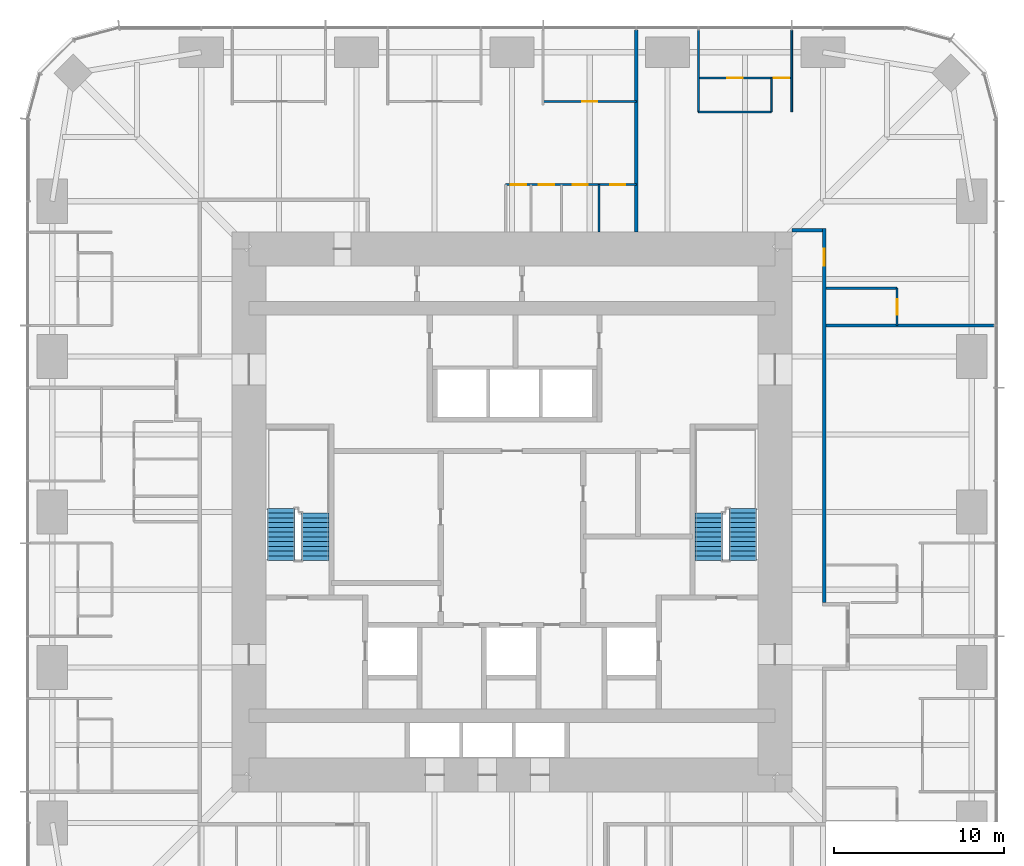
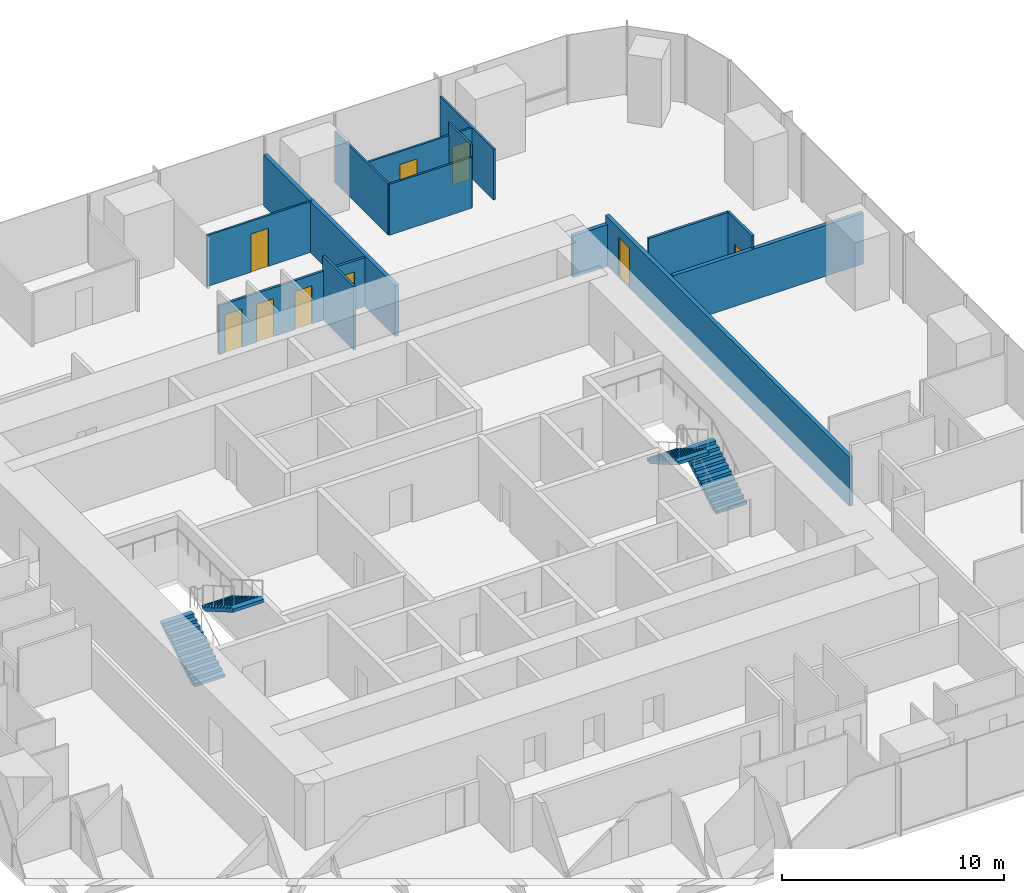
# One storey, part 12 of 13: 14 walls, 9 doors, 4 stair flights, 9 openings, 2 elements without a shape of their own.
"""IFC4 building model written with IfcOpenShell, lengths in metres."""

from ifc_helpers import new_model, si_unit, direction, frame, frame_2d, origin, place, context, subcontext, project, spatial, polyline, rectangle, outline, extrude, material, layer, layer_set, type_object, element, fill, aggregate, save


model = new_model("IFC4")

# Units and contexts
model_context = context("Model", 3, precision=1e-05, world=origin(), true_north=direction((0.0, 1.0)))
body_context = subcontext(model_context, "Body", "Model", "MODEL_VIEW")
ifc_project = project(units=[si_unit("LENGTHUNIT", "METRE"), si_unit("AREAUNIT", "SQUARE_METRE"), si_unit("VOLUMEUNIT", "CUBIC_METRE"), si_unit("PLANEANGLEUNIT", "RADIAN"), si_unit("MASSUNIT", "GRAM", prefix="KILO")], contexts=[model_context])

# Site, building, storey
site_placement = place(None, origin())
site = spatial("IfcSite", under=ifc_project, at=site_placement, CompositionType="ELEMENT")
building_placement = place(site_placement, origin())
building = spatial("IfcBuilding", under=site, at=building_placement, Name="Khuree Lantern Residences", CompositionType="ELEMENT")
storey_placement = place(building_placement, frame((0.0, 0.0, 152.25)))
storey = spatial("IfcBuildingStorey", under=building, at=storey_placement, Name="L38", CompositionType="ELEMENT", Elevation=152.25)

# Wall, opening, door
ifc_material_1 = material(Name="Moisture-resistant gypsum board on steel studs", Category="steel")
ifc_layer_1 = layer(ifc_material_1, 0.125)
ifc_layer_set_1 = layer_set([ifc_layer_1], Name="BATHROOM WALL BTW125")
wall_type_1 = type_object("IfcWallType", Name="BATHROOM WALL BTW125", PredefinedType="PARTITIONING", material=ifc_layer_set_1)
wall_1_placement = place(storey_placement, frame((22.699951171875, 10.991943359375, 0.0), z_axis=(0.0, 0.0, 1.0), x_axis=(0.0, 1.0, 0.0)))
wall_1 = element("IfcWall", 1, at=wall_1_placement, inside=storey, type_object=wall_type_1, Name="L38 BATHROOM WALL 02", PredefinedType="PARTITIONING", context=body_context, shape_type="SweptSolid", body=[
    extrude(rectangle(XDim=2.199951171875, YDim=0.125, at=frame_2d((1.10009765625, 0.0))), origin(), (0.0, 0.0, 1.0), 3.5),
])
opening_1_placement = place(wall_1_placement, frame((0.64990234375, 0.0, 0.0)))
opening_1 = element("IfcOpeningElement", 2, at=opening_1_placement, cuts=wall_1, Name="Opening 38-031", PredefinedType="OPENING", context=body_context, shape_type="SweptSolid", body=[
    extrude(rectangle(XDim=0.89990234375, YDim=2.10009765625, at=frame_2d((0.449951171875, 1.050048828125))), frame((0.0, 0.072509765625, 0.0), z_axis=(0.0, -1.0, 0.0), x_axis=(1.0, 0.0, 0.0)), (0.0, 0.0, 1.0), 0.14501953125),
])
ifc_material_2 = material(Name="Timber door leaf in hardwood frame", Category="wood")
door_type_1 = type_object("IfcDoorType", Name="BATHROOM DOOR 900X2100", OperationType="SINGLE_SWING_LEFT", PredefinedType="DOOR", material=ifc_material_2)
door_1_placement = place(opening_1_placement, origin())
door_1 = element("IfcDoor", 3, at=door_1_placement, inside=storey, type_object=door_type_1, Name="Bathroom door 38-031", OperationType="SINGLE_SWING_LEFT", OverallHeight=2.10009765625, OverallWidth=0.89990234375, PredefinedType="DOOR", context=body_context, shape_type="SweptSolid", body=[
    extrude(rectangle(XDim=0.89990234375, YDim=2.10009765625, at=frame_2d((0.449951171875, 1.050048828125))), frame((0.0, 0.02490234375, 0.0), z_axis=(0.0, -1.0, 0.0), x_axis=(1.0, 0.0, 0.0)), (0.0, 0.0, 1.0), 0.050048828125),
])
fill(opening_1, door_1)

# Wall
wall_2_placement = place(storey_placement, frame((18.5, 13.19189453125, 0.0), z_axis=(0.0, 0.0, 1.0), x_axis=(1.0, 0.0, 0.0)))
element("IfcWall", 4, at=wall_2_placement, inside=storey, type_object=wall_type_1, Name="L38 BATHROOM WALL 02", PredefinedType="PARTITIONING", context=body_context, shape_type="SweptSolid", body=[
    extrude(rectangle(XDim=4.199951171875, YDim=0.125, at=frame_2d((2.10009765625, 0.0))), origin(), (0.0, 0.0, 1.0), 3.5),
])

# Wall, openings, doors
wall_3_placement = place(storey_placement, frame((7.327880859375, 19.300048828125, 0.0), z_axis=(0.0, 0.0, 1.0), x_axis=(-1.0, 0.0, 0.0)))
wall_3 = element("IfcWall", 5, at=wall_3_placement, inside=storey, type_object=wall_type_1, Name="L38 BATHROOM WALL 03", PredefinedType="PARTITIONING", context=body_context, shape_type="SweptSolid", body=[
    extrude(rectangle(XDim=7.699951171875, YDim=0.125, at=frame_2d((3.85009765625, 0.0))), origin(), (0.0, 0.0, 1.0), 2.699951171875),
])
opening_2_placement = place(wall_3_placement, frame((0.64990234375, 0.0, 0.0)))
opening_2 = element("IfcOpeningElement", 6, at=opening_2_placement, cuts=wall_3, Name="Opening 38-038", PredefinedType="OPENING", context=body_context, shape_type="SweptSolid", body=[
    extrude(rectangle(XDim=0.89990234375, YDim=2.10009765625, at=frame_2d((0.449951171875, 1.050048828125))), frame((0.0, 0.072509765625, 0.0), z_axis=(0.0, -1.0, 0.0), x_axis=(1.0, 0.0, 0.0)), (0.0, 0.0, 1.0), 0.14501953125),
])
opening_3_placement = place(wall_3_placement, frame((2.85009765625, 0.0, 0.0)))
opening_3 = element("IfcOpeningElement", 7, at=opening_3_placement, cuts=wall_3, Name="Opening 38-039", PredefinedType="OPENING", context=body_context, shape_type="SweptSolid", body=[
    extrude(rectangle(XDim=0.89990234375, YDim=2.10009765625, at=frame_2d((0.449951171875, 1.050048828125))), frame((0.0, 0.072509765625, 0.0), z_axis=(0.0, -1.0, 0.0), x_axis=(1.0, 0.0, 0.0)), (0.0, 0.0, 1.0), 0.14501953125),
])
opening_4_placement = place(wall_3_placement, frame((4.85009765625, 0.0, 0.0)))
opening_4 = element("IfcOpeningElement", 8, at=opening_4_placement, cuts=wall_3, Name="Opening 38-040", PredefinedType="OPENING", context=body_context, shape_type="SweptSolid", body=[
    extrude(rectangle(XDim=0.89990234375, YDim=2.10009765625, at=frame_2d((0.449951171875, 1.050048828125))), frame((0.0, 0.072509765625, 0.0), z_axis=(0.0, -1.0, 0.0), x_axis=(1.0, 0.0, 0.0)), (0.0, 0.0, 1.0), 0.14501953125),
])
opening_5_placement = place(wall_3_placement, frame((6.5, 0.0, 0.0)))
opening_5 = element("IfcOpeningElement", 9, at=opening_5_placement, cuts=wall_3, Name="Opening 38-041", PredefinedType="OPENING", context=body_context, shape_type="SweptSolid", body=[
    extrude(rectangle(XDim=0.89990234375, YDim=2.10009765625, at=frame_2d((0.449951171875, 1.050048828125))), frame((0.0, 0.072509765625, 0.0), z_axis=(0.0, -1.0, 0.0), x_axis=(1.0, 0.0, 0.0)), (0.0, 0.0, 1.0), 0.14501953125),
])
door_2_placement = place(opening_2_placement, origin())
door_2 = element("IfcDoor", 10, at=door_2_placement, inside=storey, type_object=door_type_1, Name="Bathroom door 38-038", OperationType="SINGLE_SWING_LEFT", OverallHeight=2.10009765625, OverallWidth=0.89990234375, PredefinedType="DOOR", context=body_context, shape_type="SweptSolid", body=[
    extrude(rectangle(XDim=0.89990234375, YDim=2.10009765625, at=frame_2d((0.449951171875, 1.050048828125))), frame((0.0, 0.02490234375, 0.0), z_axis=(0.0, -1.0, 0.0), x_axis=(1.0, 0.0, 0.0)), (0.0, 0.0, 1.0), 0.050048828125),
])
fill(opening_2, door_2)
door_3_placement = place(opening_3_placement, origin())
door_3 = element("IfcDoor", 11, at=door_3_placement, inside=storey, type_object=door_type_1, Name="Bathroom door 38-039", OperationType="SINGLE_SWING_LEFT", OverallHeight=2.10009765625, OverallWidth=0.89990234375, PredefinedType="DOOR", context=body_context, shape_type="SweptSolid", body=[
    extrude(rectangle(XDim=0.89990234375, YDim=2.10009765625, at=frame_2d((0.449951171875, 1.050048828125))), frame((0.0, 0.02490234375, 0.0), z_axis=(0.0, -1.0, 0.0), x_axis=(1.0, 0.0, 0.0)), (0.0, 0.0, 1.0), 0.050048828125),
])
fill(opening_3, door_3)
door_type_2 = type_object("IfcDoorType", Name="DOOR 900X2100", OperationType="SINGLE_SWING_LEFT", PredefinedType="DOOR", material=ifc_material_2)
door_4_placement = place(opening_4_placement, origin())
door_4 = element("IfcDoor", 12, at=door_4_placement, inside=storey, type_object=door_type_2, Name="Store door 38-040", OperationType="SINGLE_SWING_LEFT", OverallHeight=2.10009765625, OverallWidth=0.89990234375, PredefinedType="DOOR", context=body_context, shape_type="SweptSolid", body=[
    extrude(rectangle(XDim=0.89990234375, YDim=2.10009765625, at=frame_2d((0.449951171875, 1.050048828125))), frame((0.0, 0.02490234375, 0.0), z_axis=(0.0, -1.0, 0.0), x_axis=(1.0, 0.0, 0.0)), (0.0, 0.0, 1.0), 0.050048828125),
])
fill(opening_4, door_4)
door_type_3 = type_object("IfcDoorType", Name="WC DOOR 900X2100", OperationType="SINGLE_SWING_LEFT", PredefinedType="DOOR", material=ifc_material_2)
door_5_placement = place(opening_5_placement, origin())
door_5 = element("IfcDoor", 13, at=door_5_placement, inside=storey, type_object=door_type_3, Name="WC door 38-041", OperationType="SINGLE_SWING_LEFT", OverallHeight=2.10009765625, OverallWidth=0.89990234375, PredefinedType="DOOR", context=body_context, shape_type="SweptSolid", body=[
    extrude(rectangle(XDim=0.89990234375, YDim=2.10009765625, at=frame_2d((0.449951171875, 1.050048828125))), frame((0.0, 0.02490234375, 0.0), z_axis=(0.0, -1.0, 0.0), x_axis=(1.0, 0.0, 0.0)), (0.0, 0.0, 1.0), 0.050048828125),
])
fill(opening_5, door_5)

# Walls
wall_4_placement = place(storey_placement, frame((5.1279296875, 16.5, 0.0), z_axis=(0.0, 0.0, 1.0), x_axis=(0.0, 1.0, 0.0)))
element("IfcWall", 14, at=wall_4_placement, inside=storey, type_object=wall_type_1, Name="L38 BATHROOM WALL 03", PredefinedType="PARTITIONING", context=body_context, shape_type="SweptSolid", body=[
    extrude(rectangle(XDim=2.800048828125, YDim=0.125, at=frame_2d((1.39990234375, 0.0))), origin(), (0.0, 0.0, 1.0), 3.5),
])
ifc_material_3 = material(Name="Gypsum board on steel studs", Category="steel")
ifc_layer_2 = layer(ifc_material_3, 0.199951171875)
ifc_layer_set_2 = layer_set([ifc_layer_2], Name="CORRIDOR WALL CRW200 EI 60")
wall_type_2 = type_object("IfcWallType", Name="CORRIDOR WALL CRW200 EI 60", PredefinedType="PARTITIONING", material=ifc_layer_set_2)
wall_5_placement = place(storey_placement, frame((16.5, 16.60009765625, 0.0), z_axis=(0.0, 0.0, 1.0), x_axis=(1.0, 0.0, 0.0)))
element("IfcWall", 15, at=wall_5_placement, inside=storey, type_object=wall_type_2, Name="L38 EAST CORRIDOR NORTH END WALL", PredefinedType="PARTITIONING", context=body_context, shape_type="SweptSolid", body=[
    extrude(rectangle(XDim=1.800048828125, YDim=0.199951171875, at=frame_2d((0.89990234375, 0.0))), origin(), (0.0, 0.0, 1.0), 2.300048828125),
])

# Wall, opening, door
wall_6_placement = place(storey_placement, frame((18.39990234375, -5.327880859375, 0.0), z_axis=(0.0, 0.0, 1.0), x_axis=(0.0, 1.0, 0.0)))
wall_6 = element("IfcWall", 16, at=wall_6_placement, inside=storey, type_object=wall_type_2, Name="L38 CORRIDOR WALL EAST 2", PredefinedType="PARTITIONING", context=body_context, shape_type="SweptSolid", body=[
    extrude(rectangle(XDim=22.02783203125, YDim=0.199951171875, at=frame_2d((11.013916015625, 0.0))), origin(), (0.0, 0.0, 1.0), 2.699951171875),
])
opening_6_placement = place(wall_6_placement, frame((19.840087890625, 0.0, 0.0)))
opening_6 = element("IfcOpeningElement", 17, at=opening_6_placement, cuts=wall_6, Name="Opening 38-032", PredefinedType="OPENING", context=body_context, shape_type="SweptSolid", body=[
    extrude(rectangle(XDim=1.0, YDim=2.199951171875, at=frame_2d((0.5, 1.10009765625))), frame((0.0, 0.10986328125, 0.0), z_axis=(0.0, -1.0, 0.0), x_axis=(1.0, 0.0, 0.0)), (0.0, 0.0, 1.0), 0.219970703125),
])
door_type_4 = type_object("IfcDoorType", Name="APARTMENT ENTRANCE DOOR 1000X2200 EI 30S RIGHT HAND", OperationType="SINGLE_SWING_RIGHT", PredefinedType="DOOR", material=ifc_material_2)
door_6_placement = place(opening_6_placement, origin())
door_6 = element("IfcDoor", 18, at=door_6_placement, inside=storey, type_object=door_type_4, Name="Apartment 02 entrance door 38-032", OperationType="SINGLE_SWING_RIGHT", OverallHeight=2.199951171875, OverallWidth=1.0, PredefinedType="DOOR", context=body_context, shape_type="SweptSolid", body=[
    extrude(rectangle(XDim=1.0, YDim=2.199951171875, at=frame_2d((0.5, 1.10009765625))), frame((0.0, 0.02490234375, 0.0), z_axis=(0.0, -1.0, 0.0), x_axis=(1.0, 0.0, 0.0)), (0.0, 0.0, 1.0), 0.050048828125),
])
fill(opening_6, door_6)

# Walls
ifc_layer_3 = layer(ifc_material_3, 0.199951171875)
ifc_layer_set_3 = layer_set([ifc_layer_3], Name="DEMISING WALL DMW200 EI 90")
wall_type_3 = type_object("IfcWallType", Name="DEMISING WALL DMW200 EI 90", PredefinedType="PARTITIONING", material=ifc_layer_set_3)
wall_7_placement = place(storey_placement, frame((18.5, 10.991943359375, 0.0), z_axis=(0.0, 0.0, 1.0), x_axis=(1.0, 0.0, 0.0)))
element("IfcWall", 19, at=wall_7_placement, inside=storey, type_object=wall_type_3, Name="L38 DEMISING WALL 02", PredefinedType="PARTITIONING", context=body_context, shape_type="SweptSolid", body=[
    extrude(rectangle(XDim=9.89990234375, YDim=0.199951171875, at=frame_2d((4.949951171875, 0.0))), origin(), (0.0, 0.0, 1.0), 2.81005859375),
])
wall_8_placement = place(storey_placement, frame((7.327880859375, 16.5, 0.0), z_axis=(0.0, 0.0, 1.0), x_axis=(0.0, 1.0, 0.0)))
element("IfcWall", 20, at=wall_8_placement, inside=storey, type_object=wall_type_3, Name="L38 DEMISING WALL 03", PredefinedType="PARTITIONING", context=body_context, shape_type="SweptSolid", body=[
    extrude(rectangle(XDim=11.89990234375, YDim=0.199951171875, at=frame_2d((5.949951171875, 0.0))), origin(), (0.0, 0.0, 1.0), 2.81005859375),
])
ifc_layer_4 = layer(ifc_material_3, 0.10009765625)
ifc_layer_set_4 = layer_set([ifc_layer_4], Name="PARTITION PT100")
wall_type_4 = type_object("IfcWallType", Name="PARTITION PT100", PredefinedType="PARTITIONING", material=ifc_layer_set_4)
for number, where, z_axis, x_axis, name in (
    (21, (16.488037109375, 23.579833984375, 0.0), (0.0, 0.0, 1.0), (0.0, 1.0, 0.0), "L38 PARTITION 02"),
    (22, (10.991943359375, 23.579833984375, 0.0), (0.0, 0.0, 1.0), (0.0, 1.0, 0.0), "L38 PARTITION 02"),
):
    element("IfcWall", number, at=place(storey_placement, frame(where, z_axis=z_axis, x_axis=x_axis)), inside=storey, type_object=wall_type_4, Name=name, PredefinedType="PARTITIONING", context=body_context, shape_type="SweptSolid", body=[
        extrude(rectangle(XDim=4.820068359375, YDim=0.10009765625, at=frame_2d((2.41015625, 0.0))), origin(), (0.0, 0.0, 1.0), 2.81005859375),
    ])

# Wall, openings, doors
wall_9_placement = place(storey_placement, frame((16.488037109375, 25.579833984375, 0.0), z_axis=(0.0, 0.0, 1.0), x_axis=(-1.0, 0.0, 0.0)))
wall_9 = element("IfcWall", 23, at=wall_9_placement, inside=storey, type_object=wall_type_4, Name="L38 PARTITION 02", PredefinedType="PARTITIONING", context=body_context, shape_type="SweptSolid", body=[
    extrude(rectangle(XDim=5.49609375, YDim=0.10009765625, at=frame_2d((2.748046875, 0.0))), origin(), (0.0, 0.0, 1.0), 2.81005859375),
])
opening_7_placement = place(wall_9_placement, frame((0.14990234375, 0.0, 0.0)))
opening_7 = element("IfcOpeningElement", 24, at=opening_7_placement, cuts=wall_9, Name="Opening 38-029", PredefinedType="OPENING", context=body_context, shape_type="SweptSolid", body=[
    extrude(rectangle(XDim=0.89990234375, YDim=2.10009765625, at=frame_2d((0.449951171875, 1.050048828125))), frame((0.0, 0.06005859375, 0.0), z_axis=(0.0, -1.0, 0.0), x_axis=(1.0, 0.0, 0.0)), (0.0, 0.0, 1.0), 0.1201171875),
])
opening_8_placement = place(wall_9_placement, frame((2.89794921875, 0.0, 0.0)))
opening_8 = element("IfcOpeningElement", 25, at=opening_8_placement, cuts=wall_9, Name="Opening 38-030", PredefinedType="OPENING", context=body_context, shape_type="SweptSolid", body=[
    extrude(rectangle(XDim=0.89990234375, YDim=2.10009765625, at=frame_2d((0.449951171875, 1.050048828125))), frame((0.0, 0.06005859375, 0.0), z_axis=(0.0, -1.0, 0.0), x_axis=(1.0, 0.0, 0.0)), (0.0, 0.0, 1.0), 0.1201171875),
])
door_type_5 = type_object("IfcDoorType", Name="BEDROOM DOOR 900X2100", OperationType="SINGLE_SWING_LEFT", PredefinedType="DOOR", material=ifc_material_2)
door_7_placement = place(opening_7_placement, origin())
door_7 = element("IfcDoor", 26, at=door_7_placement, inside=storey, type_object=door_type_5, Name="Bedroom door 38-029", OperationType="SINGLE_SWING_LEFT", OverallHeight=2.10009765625, OverallWidth=0.89990234375, PredefinedType="DOOR", context=body_context, shape_type="SweptSolid", body=[
    extrude(rectangle(XDim=0.89990234375, YDim=2.10009765625, at=frame_2d((0.449951171875, 1.050048828125))), frame((0.0, 0.02490234375, 0.0), z_axis=(0.0, -1.0, 0.0), x_axis=(1.0, 0.0, 0.0)), (0.0, 0.0, 1.0), 0.050048828125),
])
fill(opening_7, door_7)
door_8_placement = place(opening_8_placement, origin())
door_8 = element("IfcDoor", 27, at=door_8_placement, inside=storey, type_object=door_type_2, Name="Wardrobe door 38-030", OperationType="SINGLE_SWING_LEFT", OverallHeight=2.10009765625, OverallWidth=0.89990234375, PredefinedType="DOOR", context=body_context, shape_type="SweptSolid", body=[
    extrude(rectangle(XDim=0.89990234375, YDim=2.10009765625, at=frame_2d((0.449951171875, 1.050048828125))), frame((0.0, 0.02490234375, 0.0), z_axis=(0.0, -1.0, 0.0), x_axis=(1.0, 0.0, 0.0)), (0.0, 0.0, 1.0), 0.050048828125),
])
fill(opening_8, door_8)

# Walls
wall_10_placement = place(storey_placement, frame((15.2880859375, 23.579833984375, 0.0), z_axis=(0.0, 0.0, 1.0), x_axis=(0.0, 1.0, 0.0)))
element("IfcWall", 28, at=wall_10_placement, inside=storey, type_object=wall_type_4, Name="L38 PARTITION 02", PredefinedType="PARTITIONING", context=body_context, shape_type="SweptSolid", body=[
    extrude(rectangle(XDim=2.0, YDim=0.10009765625, at=frame_2d((1.0, 0.0))), origin(), (0.0, 0.0, 1.0), 3.5),
])
wall_11_placement = place(storey_placement, frame((15.2880859375, 23.579833984375, 0.0), z_axis=(0.0, 0.0, 1.0), x_axis=(-1.0, 0.0, 0.0)))
element("IfcWall", 29, at=wall_11_placement, inside=storey, type_object=wall_type_4, Name="L38 PARTITION 02", PredefinedType="PARTITIONING", context=body_context, shape_type="SweptSolid", body=[
    extrude(rectangle(XDim=4.296142578125, YDim=0.10009765625, at=frame_2d((2.14794921875, 0.0))), origin(), (0.0, 0.0, 1.0), 2.81005859375),
])

# Wall, opening, door
wall_12_placement = place(storey_placement, frame((7.327880859375, 24.199951171875, 0.0), z_axis=(0.0, 0.0, 1.0), x_axis=(-1.0, 0.0, 0.0)))
wall_12 = element("IfcWall", 30, at=wall_12_placement, inside=storey, type_object=wall_type_4, Name="L38 PARTITION 03", PredefinedType="PARTITIONING", context=body_context, shape_type="SweptSolid", body=[
    extrude(rectangle(XDim=5.495849609375, YDim=0.10009765625, at=frame_2d((2.748046875, 0.0))), origin(), (0.0, 0.0, 1.0), 2.81005859375),
])
opening_9_placement = place(wall_12_placement, frame((2.298095703125, 0.0, 0.0)))
opening_9 = element("IfcOpeningElement", 31, at=opening_9_placement, cuts=wall_12, Name="Opening 38-033", PredefinedType="OPENING", context=body_context, shape_type="SweptSolid", body=[
    extrude(rectangle(XDim=0.89990234375, YDim=2.10009765625, at=frame_2d((0.449951171875, 1.050048828125))), frame((0.0, 0.06005859375, 0.0), z_axis=(0.0, -1.0, 0.0), x_axis=(1.0, 0.0, 0.0)), (0.0, 0.0, 1.0), 0.1201171875),
])
door_9_placement = place(opening_9_placement, origin())
door_9 = element("IfcDoor", 32, at=door_9_placement, inside=storey, type_object=door_type_5, Name="Bedroom door 38-033", OperationType="SINGLE_SWING_LEFT", OverallHeight=2.10009765625, OverallWidth=0.89990234375, PredefinedType="DOOR", context=body_context, shape_type="SweptSolid", body=[
    extrude(rectangle(XDim=0.89990234375, YDim=2.10009765625, at=frame_2d((0.449951171875, 1.050048828125))), frame((0.0, 0.02490234375, 0.0), z_axis=(0.0, -1.0, 0.0), x_axis=(1.0, 0.0, 0.0)), (0.0, 0.0, 1.0), 0.050048828125),
])
fill(opening_9, door_9)

# Stair, stair flights
ifc_material_4 = material(Name="Concrete C40/50", Category="concrete")
stair_type = type_object("IfcStairType", Name="STAIR ST1 HALF TURN 3600", PredefinedType="HALF_TURN_STAIR", material=ifc_material_4)
stair_1_placement = place(storey_placement, origin())
stair_1 = element("IfcStair", 33, at=stair_1_placement, inside=storey, type_object=stair_type, Name="Stair ST1", PredefinedType="HALF_TURN_STAIR")
stair_flight_type = type_object("IfcStairFlightType", Name="STAIR FLIGHT SF1 1600", PredefinedType="STRAIGHT", material=ifc_material_4)
stair_flight_1_placement = place(storey_placement, frame((-13.60009765625, -2.860107421875, 0.0), z_axis=(0.0, 0.0, 1.0), x_axis=(0.0, 1.0, 0.0)))
stair_flight_1 = element("IfcStairFlight", 34, at=stair_flight_1_placement, type_object=stair_flight_type, Name="ST1 flight 1", NumberOfRisers=12, NumberOfTreads=11, PredefinedType="STRAIGHT", RiserHeight=0.163043478, TreadLength=0.28, context=body_context, shape_type="SweptSolid", body=[
    extrude(outline(polyline([(0.0, 0.0), (0.0, 0.1630859375), (0.280029296875, 0.1630859375), (0.280029296875, 0.326171875), (0.56005859375, 0.326171875), (0.56005859375, 0.489013671875), (0.840087890625, 0.489013671875), (0.840087890625, 0.652099609375), (1.1201171875, 0.652099609375), (1.1201171875, 0.815185546875), (1.39990234375, 0.815185546875), (1.39990234375, 0.978271484375), (1.679931640625, 0.978271484375), (1.679931640625, 1.141357421875), (1.9599609375, 1.141357421875), (1.9599609375, 1.304443359375), (2.239990234375, 1.304443359375), (2.239990234375, 1.46728515625), (2.52001953125, 1.46728515625), (2.52001953125, 1.63037109375), (2.800048828125, 1.63037109375), (2.800048828125, 1.79345703125), (3.080078125, 1.79345703125), (3.080078125, 1.95654296875), (3.080078125, 1.6201171875), (0.2978515625, 0.0), (0.0, 0.0)])), frame((0.0, 0.800048828125, 0.0), z_axis=(0.0, -1.0, 0.0), x_axis=(1.0, 0.0, 0.0)), (0.0, 0.0, 1.0), 1.60009765625),
])
stair_flight_2_placement = place(storey_placement, frame((-11.60009765625, -0.06005859375, 1.95654296875), z_axis=(0.0, 0.0, 1.0), x_axis=(0.0, -1.0, 0.0)))
stair_flight_2 = element("IfcStairFlight", 35, at=stair_flight_2_placement, type_object=stair_flight_type, Name="ST1 flight 2", NumberOfRisers=11, NumberOfTreads=10, PredefinedType="STRAIGHT", RiserHeight=0.163043478, TreadLength=0.28, context=body_context, shape_type="SweptSolid", body=[
    extrude(outline(polyline([(0.0, 0.0), (0.0, 0.1630859375), (0.280029296875, 0.1630859375), (0.280029296875, 0.326171875), (0.56005859375, 0.326171875), (0.56005859375, 0.489013671875), (0.840087890625, 0.489013671875), (0.840087890625, 0.652099609375), (1.1201171875, 0.652099609375), (1.1201171875, 0.815185546875), (1.39990234375, 0.815185546875), (1.39990234375, 0.978271484375), (1.679931640625, 0.978271484375), (1.679931640625, 1.141357421875), (1.9599609375, 1.141357421875), (1.9599609375, 1.304443359375), (2.239990234375, 1.304443359375), (2.239990234375, 1.46728515625), (2.52001953125, 1.46728515625), (2.52001953125, 1.63037109375), (2.800048828125, 1.63037109375), (2.800048828125, 1.79345703125), (2.800048828125, 1.45703125), (0.2978515625, 0.0), (0.0, 0.0)])), frame((0.0, 0.800048828125, 0.0), z_axis=(0.0, -1.0, 0.0), x_axis=(1.0, 0.0, 0.0)), (0.0, 0.0, 1.0), 1.60009765625),
])
aggregate(stair_1, [stair_flight_1, stair_flight_2])

stair_2_placement = place(storey_placement, origin())
stair_2 = element("IfcStair", 36, at=stair_2_placement, inside=storey, type_object=stair_type, Name="Stair ST2", PredefinedType="HALF_TURN_STAIR")
stair_flight_3_placement = place(storey_placement, frame((13.60009765625, -2.860107421875, 0.0), z_axis=(0.0, 0.0, 1.0), x_axis=(0.0, 1.0, 0.0)))
stair_flight_3 = element("IfcStairFlight", 37, at=stair_flight_3_placement, type_object=stair_flight_type, Name="ST2 flight 1", NumberOfRisers=12, NumberOfTreads=11, PredefinedType="STRAIGHT", RiserHeight=0.163043478, TreadLength=0.28, context=body_context, shape_type="SweptSolid", body=[
    extrude(outline(polyline([(0.0, 0.0), (0.0, 0.1630859375), (0.280029296875, 0.1630859375), (0.280029296875, 0.326171875), (0.56005859375, 0.326171875), (0.56005859375, 0.489013671875), (0.840087890625, 0.489013671875), (0.840087890625, 0.652099609375), (1.1201171875, 0.652099609375), (1.1201171875, 0.815185546875), (1.39990234375, 0.815185546875), (1.39990234375, 0.978271484375), (1.679931640625, 0.978271484375), (1.679931640625, 1.141357421875), (1.9599609375, 1.141357421875), (1.9599609375, 1.304443359375), (2.239990234375, 1.304443359375), (2.239990234375, 1.46728515625), (2.52001953125, 1.46728515625), (2.52001953125, 1.63037109375), (2.800048828125, 1.63037109375), (2.800048828125, 1.79345703125), (3.080078125, 1.79345703125), (3.080078125, 1.95654296875), (3.080078125, 1.6201171875), (0.2978515625, 0.0), (0.0, 0.0)])), frame((0.0, 0.800048828125, 0.0), z_axis=(0.0, -1.0, 0.0), x_axis=(1.0, 0.0, 0.0)), (0.0, 0.0, 1.0), 1.60009765625),
])
stair_flight_4_placement = place(storey_placement, frame((11.60009765625, -0.06005859375, 1.95654296875), z_axis=(0.0, 0.0, 1.0), x_axis=(0.0, -1.0, 0.0)))
stair_flight_4 = element("IfcStairFlight", 38, at=stair_flight_4_placement, type_object=stair_flight_type, Name="ST2 flight 2", NumberOfRisers=11, NumberOfTreads=10, PredefinedType="STRAIGHT", RiserHeight=0.163043478, TreadLength=0.28, context=body_context, shape_type="SweptSolid", body=[
    extrude(outline(polyline([(0.0, 0.0), (0.0, 0.1630859375), (0.280029296875, 0.1630859375), (0.280029296875, 0.326171875), (0.56005859375, 0.326171875), (0.56005859375, 0.489013671875), (0.840087890625, 0.489013671875), (0.840087890625, 0.652099609375), (1.1201171875, 0.652099609375), (1.1201171875, 0.815185546875), (1.39990234375, 0.815185546875), (1.39990234375, 0.978271484375), (1.679931640625, 0.978271484375), (1.679931640625, 1.141357421875), (1.9599609375, 1.141357421875), (1.9599609375, 1.304443359375), (2.239990234375, 1.304443359375), (2.239990234375, 1.46728515625), (2.52001953125, 1.46728515625), (2.52001953125, 1.63037109375), (2.800048828125, 1.63037109375), (2.800048828125, 1.79345703125), (2.800048828125, 1.45703125), (0.2978515625, 0.0), (0.0, 0.0)])), frame((0.0, 0.800048828125, 0.0), z_axis=(0.0, -1.0, 0.0), x_axis=(1.0, 0.0, 0.0)), (0.0, 0.0, 1.0), 1.60009765625),
])
aggregate(stair_2, [stair_flight_3, stair_flight_4])

save(model, "model.ifc")
